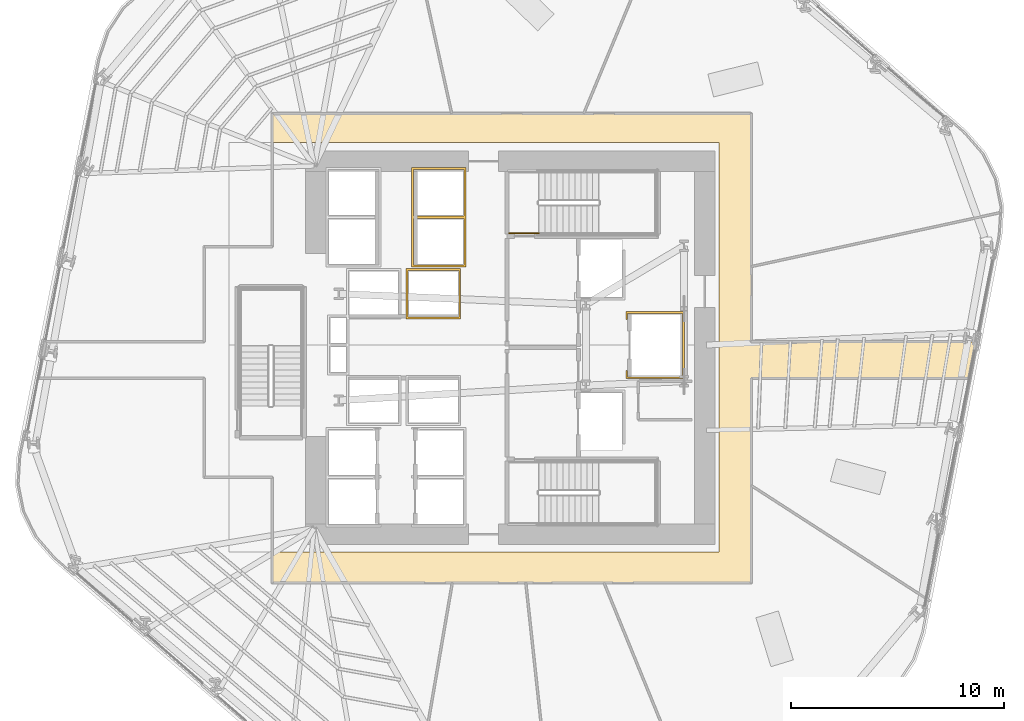
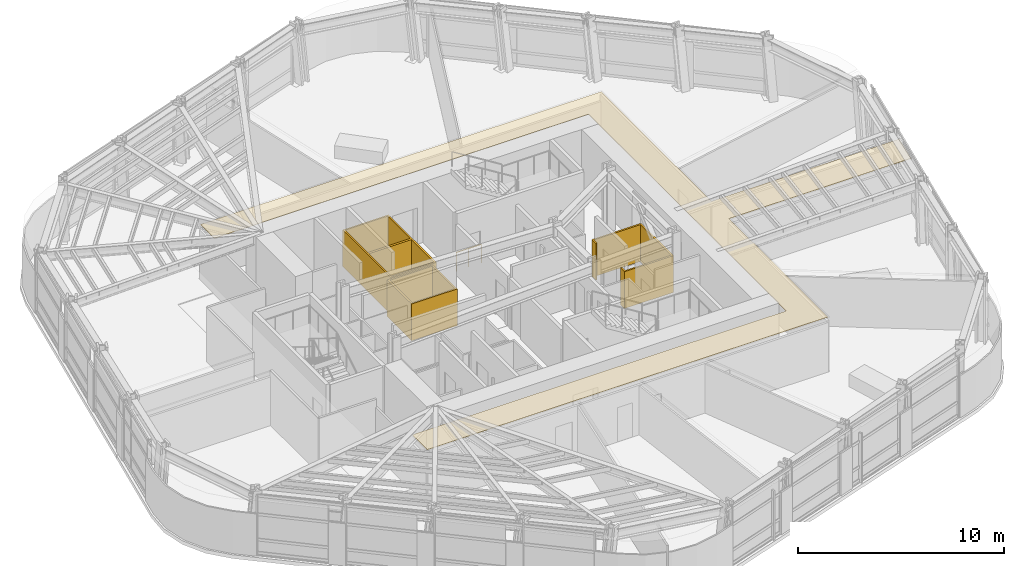
# One storey, part 13 of 16: 4 coverings, 1 railing.
"""IFC4 building model written with IfcOpenShell, lengths in metres."""

import ifcopenshell
import ifcopenshell.guid

model = None  # the IFC model being written
_history = None  # IfcOwnerHistory: only IFC2X3 demands one
_inside = {}  # id of a spatial element -> (the spatial element, [elements in it])
_under = {}  # id of a project, library or spatial element -> (it, [spatial elements below it])
_declared = {}  # id of a project -> (the project, [libraries it declares])
_typed = {}  # id of a type object -> (the type object, [elements of that type])
_made_of = {}  # id of a material, layer set ... -> (it, [elements and type objects made of it])


def new_model(schema):
    """Start an empty IFC model of exactly this schema.

    Asked for "IFC4X3", IfcOpenShell would pick the latest addendum, in which some entities
    have other attributes; the version numbers below select the first issue.
    IFC2X3 requires an IfcOwnerHistory on every rooted entity: one is made here for all.
    """
    global model, _history
    if schema == "IFC4X3":
        model = ifcopenshell.file(schema_version=(4, 3, 0, 0))
    else:
        model = ifcopenshell.file(schema=schema)
    _inside.clear()
    _under.clear()
    _declared.clear()
    _typed.clear()
    _made_of.clear()
    _history = None
    if model.schema == "IFC2X3":
        org = make("IfcOrganization", Name="unknown")
        user = make(
            "IfcPersonAndOrganization",
            ThePerson=make("IfcPerson", FamilyName="unknown"),
            TheOrganization=org,
        )
        app = make(
            "IfcApplication",
            ApplicationDeveloper=org,
            Version="unknown",
            ApplicationFullName="unknown",
            ApplicationIdentifier="unknown",
        )
        _history = make(
            "IfcOwnerHistory",
            OwningUser=user,
            OwningApplication=app,
            ChangeAction="ADDED",
            CreationDate=0,
        )
    return model


def make(cls, **values):
    """One entity of the class cls with the attributes given. An attribute that is None is left unset."""
    return model.create_entity(
        cls, **{name: value for name, value in values.items() if value is not None}
    )


def rooted(cls, **values):
    """An entity with a GlobalId (a new one), such as an element, a storey or a relation."""
    return make(cls, GlobalId=ifcopenshell.guid.new(), OwnerHistory=_history, **values)


def si_unit(unit_type, name, prefix=None):
    """IfcSIUnit, for example si_unit("LENGTHUNIT", "METRE", prefix="MILLI")."""
    return make("IfcSIUnit", UnitType=unit_type, Prefix=prefix, Name=name)


def assignment(units):
    """IfcUnitAssignment: the units of a project."""
    return None if units is None else make("IfcUnitAssignment", Units=units)


def point(xyz):
    """IfcCartesianPoint."""
    return None if xyz is None else make("IfcCartesianPoint", Coordinates=xyz)


def direction(xyz):
    """IfcDirection."""
    return None if xyz is None else make("IfcDirection", DirectionRatios=xyz)


def frame(location, z_axis=None, x_axis=None):
    """IfcAxis2Placement3D, a coordinate frame: its origin and axes. An axis left out is left unset."""
    return make(
        "IfcAxis2Placement3D",
        Location=point(location),
        Axis=direction(z_axis),
        RefDirection=direction(x_axis),
    )


def frame_2d(location, x_axis=None):
    """IfcAxis2Placement2D, a coordinate frame in the plane: its origin and x axis."""
    return make(
        "IfcAxis2Placement2D", Location=point(location), RefDirection=direction(x_axis)
    )


def origin():
    """The frame at (0, 0, 0) with its axes left unset."""
    return frame((0.0, 0.0, 0.0))


def origin_2d():
    """The frame at (0, 0) in the plane with its x axis left unset."""
    return frame_2d((0.0, 0.0))


def place(relative_to, where):
    """IfcLocalPlacement: puts the frame where relative to a parent placement (None: the world)."""
    return make(
        "IfcLocalPlacement", PlacementRelTo=relative_to, RelativePlacement=where
    )


def context(
    kind, dimensions, precision=None, world=None, true_north=None, identifier=None
):
    """IfcGeometricRepresentationContext, for example the 3D "Model" context."""
    return make(
        "IfcGeometricRepresentationContext",
        ContextIdentifier=identifier,
        ContextType=kind,
        CoordinateSpaceDimension=dimensions,
        Precision=precision,
        WorldCoordinateSystem=world,
        TrueNorth=true_north,
    )


def subcontext(parent, identifier, kind, view, scale=None):
    """IfcGeometricRepresentationSubContext, for example "Body" below "Model"."""
    return make(
        "IfcGeometricRepresentationSubContext",
        ContextIdentifier=identifier,
        ContextType=kind,
        ParentContext=parent,
        TargetScale=scale,
        TargetView=view,
    )


def project(units=None, contexts=None):
    """IfcProject with its units and contexts."""
    return rooted(
        "IfcProject",
        Name="project",
        RepresentationContexts=contexts,
        UnitsInContext=assignment(units),
    )


def spatial(cls, under=None, at=None, **own):
    """A site, building, storey or space (cls), placed at a placement, below another one or the project."""
    s = rooted(cls, ObjectPlacement=at, **own)
    if under is not None:
        _under.setdefault(under.id(), (under, []))[1].append(s)
    return s


def polyline(points):
    """IfcPolyline through the points."""
    return make("IfcPolyline", Points=[point(p) for p in points])


def profile(cls, at=None, kind="AREA", **sizes):
    """A parametric profile (cls). Its sizes go by their IFC names, for example OverallWidth=200.0."""
    return make(cls, ProfileType=kind, Position=at, **sizes)


def circle(**sizes):
    """IfcCircleProfileDef."""
    return profile("IfcCircleProfileDef", **sizes)


def outline(outer, holes=None, kind="AREA"):
    """IfcArbitraryClosedProfileDef: a profile drawn as a closed curve; with holes, ...WithVoids."""
    if holes is None:
        return make("IfcArbitraryClosedProfileDef", ProfileType=kind, OuterCurve=outer)
    return make(
        "IfcArbitraryProfileDefWithVoids",
        ProfileType=kind,
        OuterCurve=outer,
        InnerCurves=holes,
    )


def extrude(swept, where, along, depth):
    """IfcExtrudedAreaSolid: the profile swept, set in the frame where, extruded along a direction by depth."""
    return make(
        "IfcExtrudedAreaSolid",
        SweptArea=swept,
        Position=where,
        ExtrudedDirection=direction(along),
        Depth=depth,
    )


def shape(context_of_items, identifier, shape_type, items):
    """IfcShapeRepresentation: the items that make up one representation, for example the "Body"."""
    return make(
        "IfcShapeRepresentation",
        ContextOfItems=context_of_items,
        RepresentationIdentifier=identifier,
        RepresentationType=shape_type,
        Items=items,
    )


def material(Name=None, Category=None):
    """IfcMaterial."""
    return make("IfcMaterial", Name=Name, Category=Category)


def layer(
    of_material, thickness, ventilated=None, Name=None, Category=None, Priority=None
):
    """IfcMaterialLayer: one layer of a wall or slab, of a material (None: an air gap)."""
    return make(
        "IfcMaterialLayer",
        Material=of_material,
        LayerThickness=thickness,
        IsVentilated=ventilated,
        Name=Name,
        Category=Category,
        Priority=Priority,
    )


def layer_set(layers, Name=None):
    """IfcMaterialLayerSet."""
    return make("IfcMaterialLayerSet", MaterialLayers=layers, LayerSetName=Name)


def made_of(thing, what):
    """Note that an element or type object is made of a material, layer set ...; save() writes the relation."""
    if what is not None:
        _made_of.setdefault(what.id(), (what, []))[1].append(thing)
    return thing


def type_object(cls, material=None, **own):
    """A type object (cls), such as IfcWallType, which elements share."""
    return made_of(rooted(cls, **own), material)


def element(
    cls,
    number,
    at=None,
    inside=None,
    cuts=None,
    type_object=None,
    material=None,
    context=None,
    identifier="Body",
    shape_type=None,
    held_by="IfcProductDefinitionShape",
    body=None,
    shapes=None,
    **own,
):
    """One element of the class cls, such as IfcWall. Its Tag is "e" and its number.

    at: its placement. inside: the storey or other place that contains it. cuts: it is an
    opening in that element (IfcRelVoidsElement). A single representation is given by context,
    identifier, shape_type and body (its items); several are given by shapes. held_by: the class
    of the entity that holds the representations. save() writes the other relations.
    """
    e = rooted(cls, Tag="e%d" % number, ObjectPlacement=at, **own)
    if body is not None:
        shapes = [shape(context, identifier, shape_type, body)]
    if shapes is not None:
        e.Representation = make(held_by, Representations=shapes)
    if inside is not None:
        _inside.setdefault(inside.id(), (inside, []))[1].append(e)
    if cuts is not None:
        rooted(
            "IfcRelVoidsElement", RelatingBuildingElement=cuts, RelatedOpeningElement=e
        )
    if type_object is not None:
        _typed.setdefault(type_object.id(), (type_object, []))[1].append(e)
    return made_of(e, material)


def aggregate(whole, parts):
    """IfcRelAggregates: a whole, such as a stair, and the parts it consists of."""
    return rooted("IfcRelAggregates", RelatingObject=whole, RelatedObjects=parts)


def save(model, path):
    """Write the relations noted so far, then the file.

    IfcRelAggregates (storeys below a building ...), IfcRelContainedInSpatialStructure (elements
    in a storey), IfcRelDefinesByType, IfcRelAssociatesMaterial and IfcRelDeclares: one each for
    every whole, place, type object, material and project.
    """
    for whole, parts in _under.values():
        aggregate(whole, parts)
    for where, things in _inside.values():
        rooted(
            "IfcRelContainedInSpatialStructure",
            RelatedElements=things,
            RelatingStructure=where,
        )
    for kind, things in _typed.values():
        rooted("IfcRelDefinesByType", RelatedObjects=things, RelatingType=kind)
    for what, things in _made_of.values():
        rooted("IfcRelAssociatesMaterial", RelatedObjects=things, RelatingMaterial=what)
    for by, libraries in _declared.values():
        rooted("IfcRelDeclares", RelatingContext=by, RelatedDefinitions=libraries)
    model.write(path)


model = new_model("IFC4")

# Units and contexts
model_context = context("Model", 3, precision=1e-05, world=origin(), true_north=direction((0.0, 1.0)))
body_context = subcontext(model_context, "Body", "Model", "MODEL_VIEW")
ifc_project = project(units=[si_unit("LENGTHUNIT", "METRE"), si_unit("AREAUNIT", "SQUARE_METRE"), si_unit("VOLUMEUNIT", "CUBIC_METRE"), si_unit("PLANEANGLEUNIT", "RADIAN"), si_unit("MASSUNIT", "GRAM", prefix="KILO")], contexts=[model_context])

# Site, building, storey
site_placement = place(None, origin())
site = spatial("IfcSite", under=ifc_project, at=site_placement, CompositionType="ELEMENT")
building_placement = place(site_placement, origin())
building = spatial("IfcBuilding", under=site, at=building_placement, Name="Valkerne Bourse Tower", CompositionType="ELEMENT")
storey_placement = place(building_placement, frame((0.0, 0.0, 104.800048828125)))
storey = spatial("IfcBuildingStorey", under=building, at=storey_placement, Name="L26", CompositionType="ELEMENT", Elevation=104.800048828125)

# Coverings
ifc_material_1 = material(Name="Bronze Anodised Aluminium AA 6063-T6", Category="aluminium")
ifc_layer_1 = layer(ifc_material_1, 0.030029296875)
ifc_layer_set_1 = layer_set([ifc_layer_1], Name="Bronze Anodised Aluminium AA 6063-T6")
covering_type_1 = type_object("IfcCoveringType", Name="COV-CEIL-METAL", PredefinedType="CEILING", material=ifc_layer_set_1)
covering_1_placement = place(storey_placement, frame((0.0, 0.0, 3.22998046875)))
element("IfcCovering", 1, at=covering_1_placement, inside=storey, type_object=covering_type_1, Name="L26 Suspended Ceiling 01", PredefinedType="CEILING", context=body_context, shape_type="SweptSolid", body=[
    extrude(outline(polyline([(68.619384765625, 27.14599609375), (68.29296875, 25.4541015625), (58.095947265625, 25.4541015625), (58.095947265625, 15.85400390625), (35.654052734375, 15.85400390625), (35.654052734375, 17.300048828125), (56.60009765625, 17.300048828125), (56.60009765625, 36.5), (35.654052734375, 36.5), (35.654052734375, 37.845947265625), (58.095947265625, 37.845947265625), (58.095947265625, 27.14599609375), (68.619384765625, 27.14599609375)])), origin(), (0.0, 0.0, 1.0), 0.02490234375),
])
ifc_material_2 = material(Name="Gypsum Shaftwall Liner Board", Category="gypsum")
ifc_layer_2 = layer(ifc_material_2, 0.080078125)
ifc_layer_set_2 = layer_set([ifc_layer_2], Name="Gypsum Shaftwall Liner Board")
covering_type_2 = type_object("IfcCoveringType", Name="COV-SHF-CLAD", PredefinedType="CLADDING", material=ifc_layer_set_2)
covering_2_placement = place(storey_placement, origin())
element("IfcCovering", 2, at=covering_2_placement, inside=storey, type_object=covering_type_2, Name="L26 Hoistway & Riser Shaftwall Liner 08", PredefinedType="CLADDING", context=body_context, shape_type="SweptSolid", body=[
    extrude(outline(polyline([(54.97998046875, 25.419921875), (52.219970703125, 25.419921875), (52.219970703125, 25.81787109375), (52.227783203125, 25.814208984375), (52.269287109375, 25.79931640625), (52.31005859375, 25.789306640625), (52.31005859375, 25.510009765625), (54.889892578125, 25.510009765625), (54.889892578125, 28.489990234375), (52.31005859375, 28.489990234375), (52.31005859375, 28.210693359375), (52.269287109375, 28.20068359375), (52.227783203125, 28.185791015625), (52.219970703125, 28.18212890625), (52.219970703125, 28.580078125), (54.97998046875, 28.580078125), (54.97998046875, 25.419921875)])), origin(), (0.0, 0.0, 1.0), 2.179931640625),
])
covering_3_placement = place(storey_placement, origin())
element("IfcCovering", 3, at=covering_3_placement, inside=storey, type_object=covering_type_2, Name="L26 Hoistway & Riser Shaftwall Liner 09", PredefinedType="CLADDING", context=body_context, shape_type="SweptSolid", body=[
    extrude(outline(polyline([(44.47998046875, 28.219970703125), (41.919921875, 28.219970703125), (41.919921875, 30.580078125), (44.47998046875, 30.580078125), (44.47998046875, 28.219970703125)]), holes=[polyline([(42.010009765625, 30.489990234375), (42.010009765625, 28.31005859375), (44.389892578125, 28.31005859375), (44.389892578125, 30.489990234375), (42.010009765625, 30.489990234375)])]), origin(), (0.0, 0.0, 1.0), 2.179931640625),
])
covering_4_placement = place(storey_placement, origin())
element("IfcCovering", 4, at=covering_4_placement, inside=storey, type_object=covering_type_2, Name="L26 Hoistway & Riser Shaftwall Liner 11", PredefinedType="CLADDING", context=body_context, shape_type="SweptSolid", body=[
    extrude(outline(polyline([(44.72998046875, 35.330078125), (44.72998046875, 33.030029296875), (44.72998046875, 32.969970703125), (44.72998046875, 30.669921875), (42.169921875, 30.669921875), (42.169921875, 32.969970703125), (42.169921875, 33.030029296875), (42.169921875, 35.330078125), (44.72998046875, 35.330078125)]), holes=[polyline([(42.260009765625, 30.760009765625), (44.639892578125, 30.760009765625), (44.639892578125, 32.93994140625), (42.260009765625, 32.93994140625), (42.260009765625, 30.760009765625)]), polyline([(42.260009765625, 33.06005859375), (44.639892578125, 33.06005859375), (44.639892578125, 35.239990234375), (42.260009765625, 35.239990234375), (42.260009765625, 33.06005859375)])]), origin(), (0.0, 0.0, 1.0), 2.179931640625),
])

# Railing
ifc_material_3 = material(Name="Galvanised Painted Steel", Category="steel")
railing_type = type_object("IfcRailingType", Name="RLG-ST-GUARD-1120", PredefinedType="GUARDRAIL", material=ifc_material_3)
railing_placement = place(storey_placement, frame((46.75, 32.25, 0.0)))
element("IfcRailing", 5, at=railing_placement, inside=storey, type_object=railing_type, Name="L26 ST-2 stair guard 8", PredefinedType="GUARDRAIL", context=body_context, shape_type="SweptSolid", body=[
    extrude(circle(Radius=0.02392578125, at=origin_2d()), frame((0.0, 0.0, 1.09619140625), z_axis=(1.0, 0.0, 0.0), x_axis=(0.0, 1.0, 0.0)), (0.0, 0.0, 1.0), 1.39990234375),
    extrude(circle(Radius=0.02099609375, at=origin_2d()), origin(), (0.0, 0.0, 1.0), 1.072021484375),
    extrude(circle(Radius=0.02099609375, at=origin_2d()), frame((0.699951171875, 0.0, 0.0)), (0.0, 0.0, 1.0), 1.072021484375),
    extrude(circle(Radius=0.02099609375, at=origin_2d()), frame((1.39990234375, 0.0, 0.0)), (0.0, 0.0, 1.0), 1.072021484375),
])

save(model, "model.ifc")
